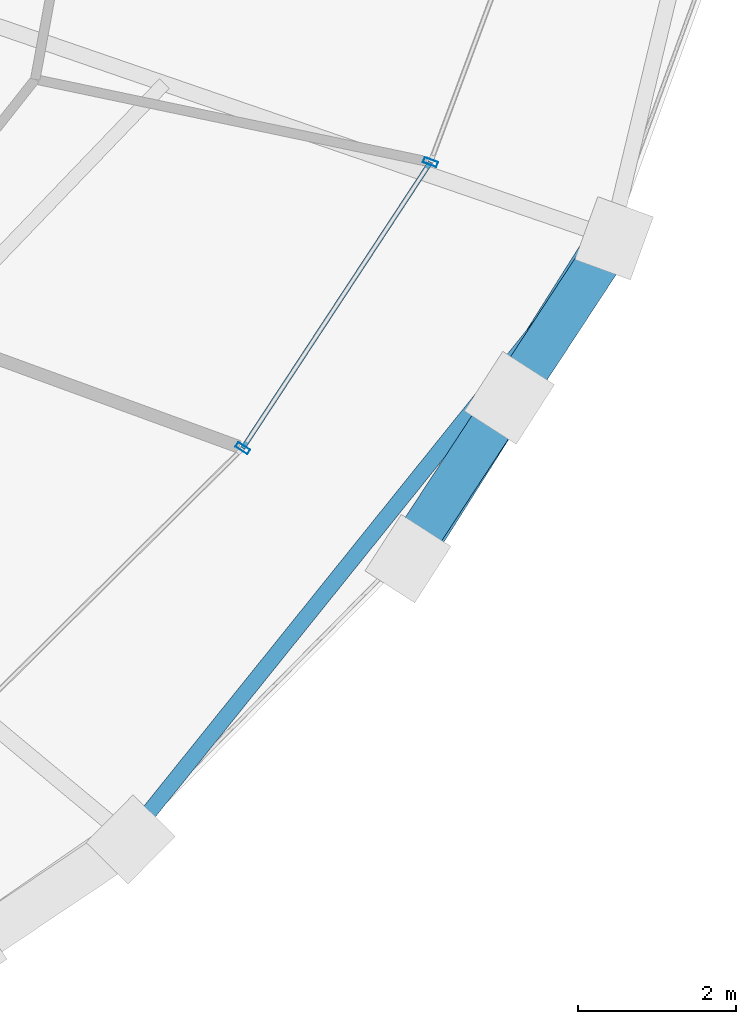
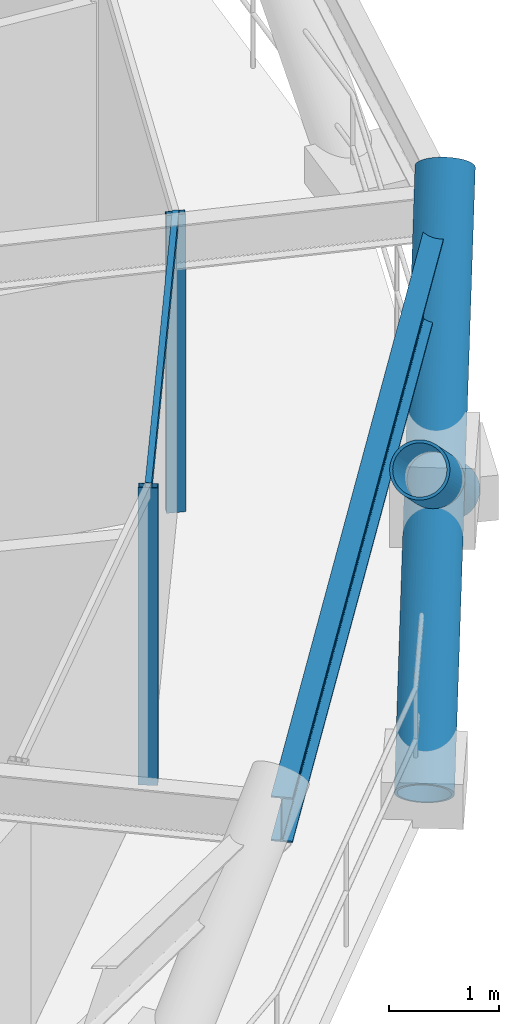
# One storey, part 9 of 20: 6 members, 1 beam, 1 element without a shape of its own.
"""IFC4 building model written with IfcOpenShell, lengths in metres."""

from ifc_helpers import new_model, si_unit, direction, frame, origin, origin_2d, place, context, subcontext, project, spatial, hollow_rectangle, hollow_circle, i_section, extrude, material, layer, layer_set, material_profile, profile_set, type_object, element, aggregate, save


model = new_model("IFC4")

# Units and contexts
model_context = context("Model", 3, precision=1e-05, world=origin(), true_north=direction((0.0, 1.0)))
body_context = subcontext(model_context, "Body", "Model", "MODEL_VIEW")
ifc_project = project(units=[si_unit("LENGTHUNIT", "METRE"), si_unit("AREAUNIT", "SQUARE_METRE"), si_unit("VOLUMEUNIT", "CUBIC_METRE"), si_unit("PLANEANGLEUNIT", "RADIAN"), si_unit("MASSUNIT", "GRAM", prefix="KILO")], contexts=[model_context])

# Site, building, storey
site_placement = place(None, origin())
site = spatial("IfcSite", under=ifc_project, at=site_placement, CompositionType="ELEMENT")
building_placement = place(site_placement, origin())
building = spatial("IfcBuilding", under=site, at=building_placement, Name="Veldorina Hangang Commons", CompositionType="ELEMENT")
storey_placement = place(building_placement, frame((0.0, 0.0, 153.199951171875)))
storey = spatial("IfcBuildingStorey", under=building, at=storey_placement, Name="L39", CompositionType="ELEMENT", Elevation=153.199951171875)

# Beam
ifc_material_1 = material(Name="Steel SM420-TMC", Category="steel")
ifc_material_profile_1 = material_profile(ifc_material_1, i_section(OverallWidth=0.199951171875, OverallDepth=0.5, WebThickness=0.010009765625, FlangeThickness=0.01611328125, FilletRadius=0.01611328125, at=origin_2d()), Name="H-500x200x10x16")
ifc_profile_set_1 = profile_set([ifc_material_profile_1], Name="Steel SM420-TMC")
beam_type = type_object("IfcBeamType", Name="BM-RB500", PredefinedType="BEAM", material=ifc_profile_set_1)
beam_placement = place(storey_placement, frame((51.969482421875, 7.405029296875, 3.10009765625), z_axis=(0.626631316579, 0.779315849372, 0.0), x_axis=(-0.779315849372, 0.626631316579, 0.0)))
element("IfcBeam", 1, at=beam_placement, inside=storey, type_object=beam_type, Name="L39 perimeter hoop ring beam 28", PredefinedType="BEAM", context=body_context, shape_type="SweptSolid", body=[
    extrude(i_section(OverallWidth=0.199951171875, OverallDepth=0.5, WebThickness=0.010009765625, FlangeThickness=0.01611328125, FilletRadius=0.01611328125, at=origin_2d()), origin(), (0.0, 0.0, 1.0), 9.769775390625),
])

# Curtain wall, members
ifc_material_2 = material(Name="Glass Low-E Triple IGU", Category="glass")
ifc_layer = layer(ifc_material_2, 0.179931640625)
ifc_layer_set = layer_set([ifc_layer], Name="Glass Low-E Triple IGU")
curtain_wall_type = type_object("IfcCurtainWallType", Name="CW-SYS-Z2", PredefinedType="NOTDEFINED", material=ifc_layer_set)
curtain_wall_placement = place(storey_placement, origin())
curtain_wall = element("IfcCurtainWall", 2, at=curtain_wall_placement, inside=storey, type_object=curtain_wall_type, Name="L39 unitised curtain wall CW-L39-R2", PredefinedType="NOTDEFINED")
ifc_material_3 = material(Name="Aluminium Anodized AA6063-T6", Category="aluminium")
ifc_material_profile_2 = material_profile(ifc_material_3, hollow_rectangle(XDim=0.070068359375, YDim=0.179931640625, WallThickness=0.00390625, at=origin_2d()), Name="ALU-RHS-180x70x4")
ifc_profile_set_2 = profile_set([ifc_material_profile_2], Name="Aluminium Anodized AA6063-T6")
member_type_1 = type_object("IfcMemberType", Name="CW-MUL-180", PredefinedType="MULLION", material=ifc_profile_set_2)
member_1_placement = place(storey_placement, frame((53.419189453125, 12.34619140625, 0.0), z_axis=(0.0, 0.0, 1.0), x_axis=(0.548745623599, 0.83598937827, 0.0)))
member_1 = element("IfcMember", 3, at=member_1_placement, type_object=member_type_1, Name="CW-L39-R2 vertical mullion 2", PredefinedType="MULLION", context=body_context, shape_type="SweptSolid", body=[
    extrude(hollow_rectangle(XDim=0.070068359375, YDim=0.179931640625, WallThickness=0.00390625, at=origin_2d()), origin(), (0.0, 0.0, 1.0), 3.31005859375),
])
member_2_placement = place(storey_placement, frame((55.7998046875, 15.97265625, 0.0), z_axis=(0.0, 0.0, 1.0), x_axis=(0.349095469945, 0.937087163963, 0.0)))
member_2 = element("IfcMember", 4, at=member_2_placement, type_object=member_type_1, Name="CW-L39-R2 vertical mullion 3", PredefinedType="MULLION", context=body_context, shape_type="SweptSolid", body=[
    extrude(hollow_rectangle(XDim=0.070068359375, YDim=0.179931640625, WallThickness=0.00390625, at=origin_2d()), origin(), (0.0, 0.0, 1.0), 3.31005859375),
])
ifc_material_profile_3 = material_profile(ifc_material_3, hollow_rectangle(XDim=0.06005859375, YDim=0.139892578125, WallThickness=0.00341796875, at=origin_2d()), Name="ALU-RHS-140x60x3.5")
ifc_profile_set_3 = profile_set([ifc_material_profile_3], Name="Aluminium Anodized AA6063-T6")
member_type_2 = type_object("IfcMemberType", Name="CW-TRN-140", PredefinedType="USERDEFINED", material=ifc_profile_set_3)
member_3_placement = place(storey_placement, frame((53.419189453125, 12.34619140625, 3.27001953125), z_axis=(0.548776907508, 0.835968842593, 0.0), x_axis=(-0.835968842593, 0.548776907508, 0.0)))
member_3 = element("IfcMember", 5, at=member_3_placement, type_object=member_type_2, Name="CW-L39-R2 facet 2 transom 1", ObjectType="TRANSOM", PredefinedType="USERDEFINED", context=body_context, shape_type="SweptSolid", body=[
    extrude(hollow_rectangle(XDim=0.06005859375, YDim=0.139892578125, WallThickness=0.00341796875, at=origin_2d()), origin(), (0.0, 0.0, 1.0), 4.338134765625),
])
aggregate(curtain_wall, [member_1, member_2, member_3])

# Members
ifc_material_profile_4 = material_profile(ifc_material_1, hollow_circle(Radius=0.27490234375, WallThickness=0.028076171875, at=origin_2d()), Name="CHS-550x28")
ifc_profile_set_4 = profile_set([ifc_material_profile_4], Name="Steel SM420-TMC")
member_type_3 = type_object("IfcMemberType", Name="DG-CHS550", PredefinedType="BRACE", material=ifc_profile_set_4)
member_4_placement = place(storey_placement, frame((55.514404296875, 10.946044921875, 0.0), z_axis=(0.4275193403, 0.677446854374, 0.598575787321), x_axis=(-0.845681505702, 0.533687915277, 0.0)))
element("IfcMember", 6, at=member_4_placement, inside=storey, type_object=member_type_3, Name="L39 continuous perimeter diagrid brace 29", PredefinedType="BRACE", context=body_context, shape_type="SweptSolid", body=[
    extrude(hollow_circle(Radius=0.27490234375, WallThickness=0.028076171875, at=origin_2d()), origin(), (0.0, 0.0, 1.0), 6.014404296875),
])
member_5_placement = place(storey_placement, frame((58.1279296875, 15.00830078125, 0.0), z_axis=(-0.439875457977, -0.670779723223, 0.597129922531), x_axis=(0.836232990002, -0.548374312338, 0.0)))
element("IfcMember", 7, at=member_5_placement, inside=storey, type_object=member_type_3, Name="L39 split perimeter diagrid lower brace 30", PredefinedType="BRACE", context=body_context, shape_type="SweptSolid", body=[
    extrude(hollow_circle(Radius=0.27490234375, WallThickness=0.028076171875, at=origin_2d()), origin(), (0.0, 0.0, 1.0), 3.0166015625),
])
member_6_placement = place(storey_placement, frame((56.801025390625, 12.98486328125, 1.80126953125), z_axis=(-0.439673814146, -0.670897665161, 0.597145928594), x_axis=(0.836392447443, -0.548131073614, 0.0)))
element("IfcMember", 8, at=member_6_placement, inside=storey, type_object=member_type_3, Name="L39 split perimeter diagrid upper brace 30", PredefinedType="BRACE", context=body_context, shape_type="SweptSolid", body=[
    extrude(hollow_circle(Radius=0.27490234375, WallThickness=0.028076171875, at=origin_2d()), origin(), (0.0, 0.0, 1.0), 3.012451171875),
])

save(model, "model.ifc")
